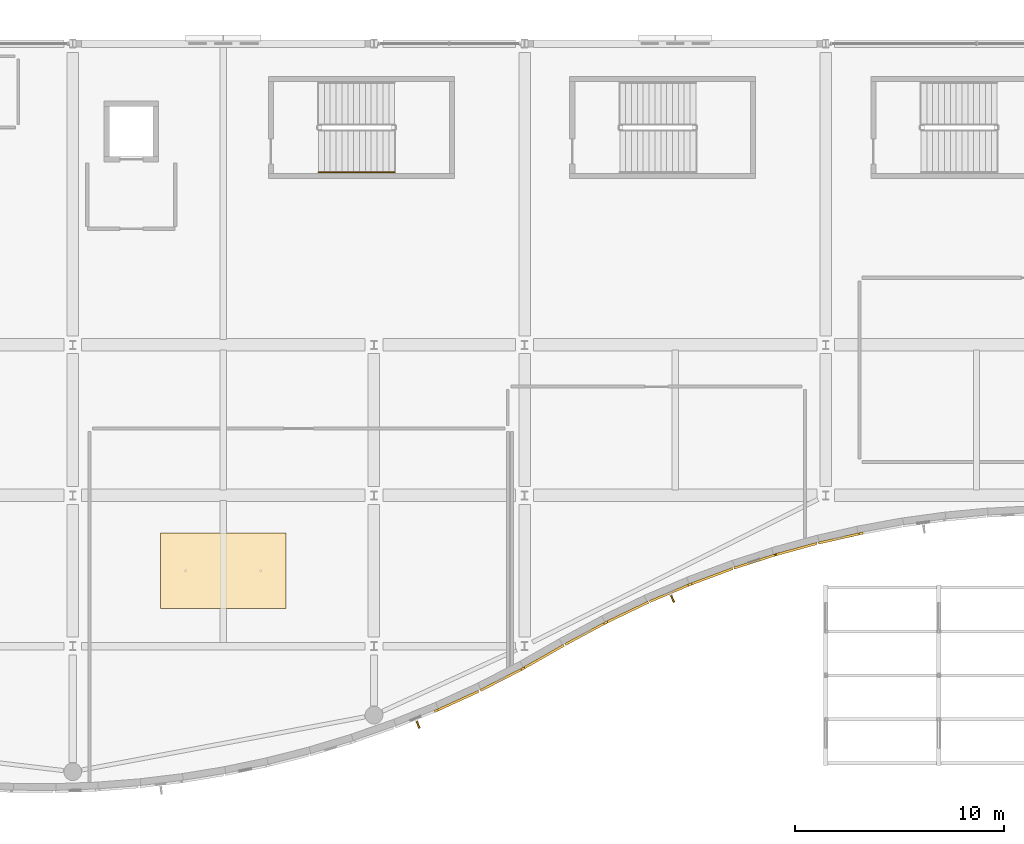
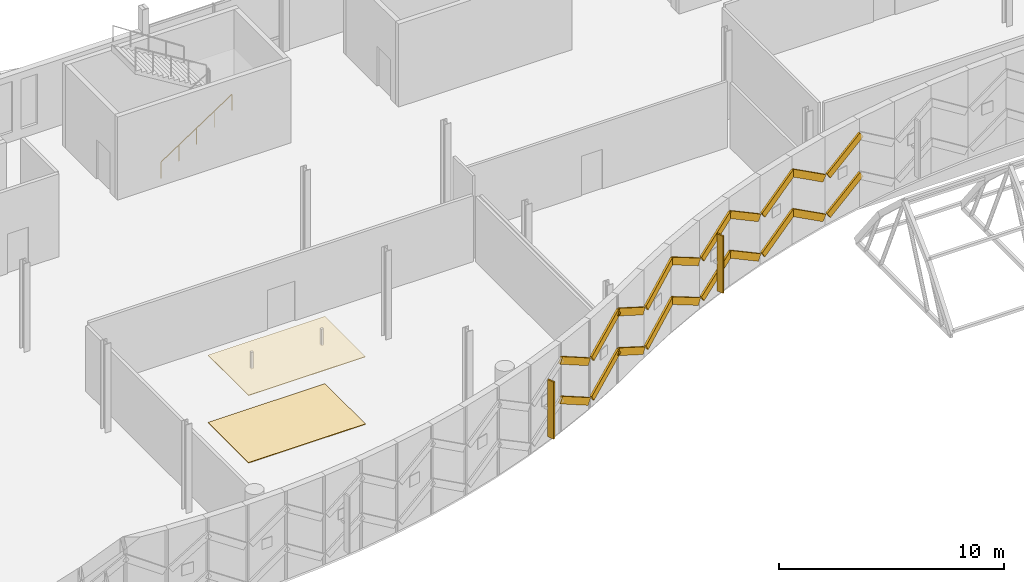
# One storey, part 197 of 220: 22 coverings, 2 shading devices, 1 railing.
"""IFC4 building model written with IfcOpenShell, lengths in metres."""

from ifc_helpers import new_model, si_unit, direction, frame, origin, origin_2d, place, context, subcontext, project, spatial, polyline, rectangle, circle, outline, extrude, material, layer, layer_set, type_object, element, save


model = new_model("IFC4")

# Units and contexts
model_context = context("Model", 3, precision=1e-05, world=origin(), true_north=direction((0.0, 1.0)))
body_context = subcontext(model_context, "Body", "Model", "MODEL_VIEW")
ifc_project = project(units=[si_unit("LENGTHUNIT", "METRE"), si_unit("AREAUNIT", "SQUARE_METRE"), si_unit("VOLUMEUNIT", "CUBIC_METRE"), si_unit("PLANEANGLEUNIT", "RADIAN"), si_unit("MASSUNIT", "GRAM", prefix="KILO")], contexts=[model_context])

# Site, building, storey
site_placement = place(None, origin())
site = spatial("IfcSite", under=ifc_project, at=site_placement, CompositionType="ELEMENT")
building_placement = place(site_placement, origin())
building = spatial("IfcBuilding", under=site, at=building_placement, Name="Cendralis Lancet Convention Centre", CompositionType="ELEMENT")
storey_placement = place(building_placement, frame((0.0, 0.0, 5.39990234375)))
storey = spatial("IfcBuildingStorey", under=building, at=storey_placement, Name="L01", CompositionType="ELEMENT", Elevation=5.39990234375)

# Coverings
ifc_material_1 = material(Name="Warm buff sandstone chevron cassette", Category="masonry")
ifc_layer_1 = layer(ifc_material_1, 0.06005859375, Name="Warm buff sandstone chevron cassette")
ifc_layer_set_1 = layer_set([ifc_layer_1], Name="Warm buff sandstone chevron cassette")
covering_type_1 = type_object("IfcCoveringType", Name="ARC-CV-CLAD1", PredefinedType="CLADDING", material=ifc_layer_set_1)
covering_1_placement = place(storey_placement, frame((75.080322265625, 4.096435546875, 1.9501953125), z_axis=(0.471515128784, 0.215056900201, 0.855233309106), x_axis=(0.77819199137, 0.354741096616, -0.518243165839)))
element("IfcCovering", 1, at=covering_1_placement, inside=storey, type_object=covering_type_1, Name="L01 Diagonal Stone Chevron Relief CL-ST1 #0223", PredefinedType="CLADDING", context=body_context, shape_type="SweptSolid", body=[
    extrude(outline(polyline([(0.0, 0.0), (2.5085691694957983, 1.49890950346121e-17), (2.5085501136428876, 0.11001752245332676), (-1.9055852910551674e-05, 0.11001752245332683), (0.0, 0.0)])), origin(), (0.0, 0.0, -1.0), 0.360107421875),
])
covering_2_placement = place(storey_placement, frame((77.115478515625, 5.026611328125, 0.650146484375), z_axis=(-0.453169211668, -0.232525026212, 0.860563639588), x_axis=(0.765535340132, 0.393097238093, 0.509342914364)))
element("IfcCovering", 2, at=covering_2_placement, inside=storey, type_object=covering_type_1, Name="L01 Diagonal Stone Chevron Relief CL-ST1 #0229", PredefinedType="CLADDING", context=body_context, shape_type="SweptSolid", body=[
    extrude(outline(polyline([(0.0, 0.0), (2.552545295401891, -1.2378878304353247e-16), (2.5524326526210803, 0.10984582912053485), (0.00017022650098245246, 0.10995151521454635), (0.0, 0.0)])), origin(), (0.0, 0.0, -1.0), 0.360107421875),
])
covering_3_placement = place(storey_placement, frame((79.14990234375, 6.073486328125, 1.9501953125), z_axis=(0.434530834935, 0.247510539439, 0.865980072725), x_axis=(0.75221047519, 0.429069874385, -0.500078437758)))
element("IfcCovering", 3, at=covering_3_placement, inside=storey, type_object=covering_type_1, Name="L01 Diagonal Stone Chevron Relief CL-ST1 #0235", PredefinedType="CLADDING", context=body_context, shape_type="SweptSolid", body=[
    extrude(outline(polyline([(0.0, 0.0), (2.5997421492661177, -8.164042358815848e-17), (2.5997478584744025, 0.10989311230682211), (0.00011046259558545463, 0.11010519697066531), (0.0, 0.0)])), origin(), (0.0, 0.0, -1.0), 0.360107421875),
])
covering_4_placement = place(storey_placement, frame((81.169921875, 7.224609375, 0.650146484375), z_axis=(-0.445062800248, -0.239087960789, 0.862992497558), x_axis=(0.759559769537, 0.409665147582, 0.505216214465)))
element("IfcCovering", 4, at=covering_4_placement, inside=storey, type_object=covering_type_1, Name="L01 Diagonal Stone Chevron Relief CL-ST1 #0241", PredefinedType="CLADDING", context=body_context, shape_type="SweptSolid", body=[
    extrude(outline(polyline([(0.0, 0.0), (2.5733022373520664, -1.0061396160665481e-16), (2.573409944268875, 0.10977774205792602), (0.0002077228219798527, 0.10999267060423891), (0.0, 0.0)])), origin(), (0.0, 0.0, -1.0), 0.360107421875),
])
covering_5_placement = place(storey_placement, frame((83.184814453125, 8.309326171875, 1.9501953125), z_axis=(0.463830927058, 0.222501920729, 0.857527705894), x_axis=(0.773135261719, 0.37096581402, -0.514437782356)))
element("IfcCovering", 5, at=covering_5_placement, inside=storey, type_object=covering_type_1, Name="L01 Diagonal Stone Chevron Relief CL-ST1 #0247", PredefinedType="CLADDING", context=body_context, shape_type="SweptSolid", body=[
    extrude(outline(polyline([(0.0, 0.0), (2.527170755961594, 1.4747860051234074e-16), (2.5271343166199913, 0.1099611557698517), (5.412848408579973e-05, 0.11018127223978118), (0.0, 0.0)])), origin(), (0.0, 0.0, -1.0), 0.360107421875),
])
covering_6_placement = place(storey_placement, frame((85.2001953125, 9.274658203125, 0.650146484375), z_axis=(-0.481390240881, -0.204155861193, 0.852398862227), x_axis=(0.784878225092, 0.332490638078, 0.522892099163)))
element("IfcCovering", 6, at=covering_6_placement, inside=storey, type_object=covering_type_1, Name="L01 Diagonal Stone Chevron Relief CL-ST1 #0253", PredefinedType="CLADDING", context=body_context, shape_type="SweptSolid", body=[
    extrude(outline(polyline([(0.0, 0.0), (2.4862659623375394, 2.4069288229178198e-17), (2.486228132060779, 0.11005326888318359), (-3.783027676055456e-05, 0.11005326888318362), (0.0, 0.0)])), origin(), (0.0, 0.0, -1.0), 0.360107421875),
])
covering_7_placement = place(storey_placement, frame((87.21484375, 10.12646484375, 1.9501953125), z_axis=(0.496802331146, 0.18461057039, 0.84800140393), x_axis=(0.794957441953, 0.295210189274, -0.529993971317)))
element("IfcCovering", 7, at=covering_7_placement, inside=storey, type_object=covering_type_1, Name="L01 Diagonal Stone Chevron Relief CL-ST1 #0259", PredefinedType="CLADDING", context=body_context, shape_type="SweptSolid", body=[
    extrude(outline(polyline([(0.0, 0.0), (2.4529141619942028, 6.020032562725763e-17), (2.4529301755870803, 0.11015531584904076), (-5.605920723799132e-05, 0.10992645177011376), (0.0, 0.0)])), origin(), (0.0, 0.0, -1.0), 0.360107421875),
])
covering_8_placement = place(storey_placement, frame((89.229248046875, 10.873046875, 0.650146484375), z_axis=(-0.510369094256, -0.164174673677, 0.844138652208), x_axis=(0.80363363446, 0.258346768482, 0.536124919005)))
element("IfcCovering", 8, at=covering_8_placement, inside=storey, type_object=covering_type_1, Name="L01 Diagonal Stone Chevron Relief CL-ST1 #0265", PredefinedType="CLADDING", context=body_context, shape_type="SweptSolid", body=[
    extrude(outline(polyline([(0.0, 0.0), (2.4248990898176555, 1.1221492485224971e-17), (2.424881834476677, 0.11002185685791445), (-1.7255340978114542e-05, 0.11002185685791444), (0.0, 0.0)])), origin(), (0.0, 0.0, -1.0), 0.360107421875),
])
covering_9_placement = place(storey_placement, frame((91.243408203125, 11.518798828125, 1.9501953125), z_axis=(0.522089233739, 0.142224308501, 0.840948915265), x_axis=(0.811166937648, 0.221818556948, -0.541114338251)))
element("IfcCovering", 9, at=covering_9_placement, inside=storey, type_object=covering_type_1, Name="L01 Diagonal Stone Chevron Relief CL-ST1 #0271", PredefinedType="CLADDING", context=body_context, shape_type="SweptSolid", body=[
    extrude(outline(polyline([(0.0, 0.0), (2.402639019591153, 1.1622647289044608e-16), (2.4026297927093947, 0.11010334298029256), (0.00018881192137900835, 0.11003901249019758), (0.0, 0.0)])), origin(), (0.0, 0.0, -1.0), 0.360107421875),
])
covering_10_placement = place(storey_placement, frame((93.258544921875, 12.068359375, 0.650146484375), z_axis=(-0.532354053644, -0.119915930172, 0.837985281052), x_axis=(0.81724675138, 0.185276760424, 0.545692467792)))
element("IfcCovering", 10, at=covering_10_placement, inside=storey, type_object=covering_type_1, Name="L01 Diagonal Stone Chevron Relief CL-ST1 #0277", PredefinedType="CLADDING", context=body_context, shape_type="SweptSolid", body=[
    extrude(outline(polyline([(0.0, 0.0), (2.3824061562739045, -3.881443777498106e-17), (2.382510909555075, 0.10986919805694208), (0.0001499868652585952, 0.11010731874686307), (0.0, 0.0)])), origin(), (0.0, 0.0, -1.0), 0.360107421875),
])
ifc_material_2 = material(Name="Dark Andean slate chevron cassette", Category="masonry")
ifc_layer_2 = layer(ifc_material_2, 0.06005859375, Name="Dark Andean slate chevron cassette")
ifc_layer_set_2 = layer_set([ifc_layer_2], Name="Dark Andean slate chevron cassette")
covering_type_2 = type_object("IfcCoveringType", Name="ARC-CV-CLAD2", PredefinedType="CLADDING", material=ifc_layer_set_2)
covering_11_placement = place(storey_placement, frame((75.080322265625, 4.096435546875, 4.10009765625), z_axis=(0.471515128784, 0.215056900201, 0.855233309106), x_axis=(0.77819199137, 0.354741096616, -0.518243165839)))
element("IfcCovering", 11, at=covering_11_placement, inside=storey, type_object=covering_type_2, Name="L01 Diagonal Stone Chevron Relief CL-ST2 #0224", PredefinedType="CLADDING", context=body_context, shape_type="SweptSolid", body=[
    extrude(outline(polyline([(0.0, 0.0), (2.5085691694957983, 1.49890950346121e-17), (2.5085501136428876, 0.11001752245332676), (-1.9055852910551674e-05, 0.11001752245332683), (0.0, 0.0)])), origin(), (0.0, 0.0, -1.0), 0.360107421875),
])
covering_12_placement = place(storey_placement, frame((77.115478515625, 5.026611328125, 2.800048828125), z_axis=(-0.453169211668, -0.232525026212, 0.860563639588), x_axis=(0.765535340132, 0.393097238093, 0.509342914364)))
element("IfcCovering", 12, at=covering_12_placement, inside=storey, type_object=covering_type_2, Name="L01 Diagonal Stone Chevron Relief CL-ST2 #0230", PredefinedType="CLADDING", context=body_context, shape_type="SweptSolid", body=[
    extrude(outline(polyline([(0.0, 0.0), (2.552545295401891, -1.2378878304353247e-16), (2.5524326526210803, 0.10984582912053485), (0.00017022650098245246, 0.10995151521454635), (0.0, 0.0)])), origin(), (0.0, 0.0, -1.0), 0.360107421875),
])
covering_13_placement = place(storey_placement, frame((79.14990234375, 6.073486328125, 4.10009765625), z_axis=(0.434530834935, 0.247510539439, 0.865980072725), x_axis=(0.75221047519, 0.429069874385, -0.500078437758)))
element("IfcCovering", 13, at=covering_13_placement, inside=storey, type_object=covering_type_2, Name="L01 Diagonal Stone Chevron Relief CL-ST2 #0236", PredefinedType="CLADDING", context=body_context, shape_type="SweptSolid", body=[
    extrude(outline(polyline([(0.0, 0.0), (2.5997421492661177, -8.164042358815848e-17), (2.5997478584744025, 0.10989311230682211), (0.00011046259558545463, 0.11010519697066531), (0.0, 0.0)])), origin(), (0.0, 0.0, -1.0), 0.360107421875),
])
covering_14_placement = place(storey_placement, frame((81.169921875, 7.224609375, 2.800048828125), z_axis=(-0.445062800248, -0.239087960789, 0.862992497558), x_axis=(0.759559769537, 0.409665147582, 0.505216214465)))
element("IfcCovering", 14, at=covering_14_placement, inside=storey, type_object=covering_type_2, Name="L01 Diagonal Stone Chevron Relief CL-ST2 #0242", PredefinedType="CLADDING", context=body_context, shape_type="SweptSolid", body=[
    extrude(outline(polyline([(0.0, 0.0), (2.5733022373520664, -1.0061396160665481e-16), (2.573409944268875, 0.10977774205792602), (0.0002077228219798527, 0.10999267060423891), (0.0, 0.0)])), origin(), (0.0, 0.0, -1.0), 0.360107421875),
])
covering_15_placement = place(storey_placement, frame((83.184814453125, 8.309326171875, 4.10009765625), z_axis=(0.463830927058, 0.222501920729, 0.857527705894), x_axis=(0.773135261719, 0.37096581402, -0.514437782356)))
element("IfcCovering", 15, at=covering_15_placement, inside=storey, type_object=covering_type_2, Name="L01 Diagonal Stone Chevron Relief CL-ST2 #0248", PredefinedType="CLADDING", context=body_context, shape_type="SweptSolid", body=[
    extrude(outline(polyline([(0.0, 0.0), (2.527170755961594, 1.4747860051234074e-16), (2.5271343166199913, 0.1099611557698517), (5.412848408579973e-05, 0.11018127223978118), (0.0, 0.0)])), origin(), (0.0, 0.0, -1.0), 0.360107421875),
])
covering_16_placement = place(storey_placement, frame((85.2001953125, 9.274658203125, 2.800048828125), z_axis=(-0.481390240881, -0.204155861193, 0.852398862227), x_axis=(0.784878225092, 0.332490638078, 0.522892099163)))
element("IfcCovering", 16, at=covering_16_placement, inside=storey, type_object=covering_type_2, Name="L01 Diagonal Stone Chevron Relief CL-ST2 #0254", PredefinedType="CLADDING", context=body_context, shape_type="SweptSolid", body=[
    extrude(outline(polyline([(0.0, 0.0), (2.4862659623375394, 2.4069288229178198e-17), (2.486228132060779, 0.11005326888318359), (-3.783027676055456e-05, 0.11005326888318362), (0.0, 0.0)])), origin(), (0.0, 0.0, -1.0), 0.360107421875),
])
covering_17_placement = place(storey_placement, frame((87.21484375, 10.12646484375, 4.10009765625), z_axis=(0.496802331146, 0.18461057039, 0.84800140393), x_axis=(0.794957441953, 0.295210189274, -0.529993971317)))
element("IfcCovering", 17, at=covering_17_placement, inside=storey, type_object=covering_type_2, Name="L01 Diagonal Stone Chevron Relief CL-ST2 #0260", PredefinedType="CLADDING", context=body_context, shape_type="SweptSolid", body=[
    extrude(outline(polyline([(0.0, 0.0), (2.4529141619942028, 6.020032562725763e-17), (2.4529301755870803, 0.11015531584904076), (-5.605920723799132e-05, 0.10992645177011376), (0.0, 0.0)])), origin(), (0.0, 0.0, -1.0), 0.360107421875),
])
covering_18_placement = place(storey_placement, frame((89.229248046875, 10.873046875, 2.800048828125), z_axis=(-0.510369094256, -0.164174673677, 0.844138652208), x_axis=(0.80363363446, 0.258346768482, 0.536124919005)))
element("IfcCovering", 18, at=covering_18_placement, inside=storey, type_object=covering_type_2, Name="L01 Diagonal Stone Chevron Relief CL-ST2 #0266", PredefinedType="CLADDING", context=body_context, shape_type="SweptSolid", body=[
    extrude(outline(polyline([(0.0, 0.0), (2.4248990898176555, 1.1221492485224971e-17), (2.424881834476677, 0.11002185685791445), (-1.7255340978114542e-05, 0.11002185685791444), (0.0, 0.0)])), origin(), (0.0, 0.0, -1.0), 0.360107421875),
])
covering_19_placement = place(storey_placement, frame((91.243408203125, 11.518798828125, 4.10009765625), z_axis=(0.522089233739, 0.142224308501, 0.840948915265), x_axis=(0.811166937648, 0.221818556948, -0.541114338251)))
element("IfcCovering", 19, at=covering_19_placement, inside=storey, type_object=covering_type_2, Name="L01 Diagonal Stone Chevron Relief CL-ST2 #0272", PredefinedType="CLADDING", context=body_context, shape_type="SweptSolid", body=[
    extrude(outline(polyline([(0.0, 0.0), (2.402639019591153, 1.1622647289044608e-16), (2.4026297927093947, 0.11010334298029256), (0.00018881192137900835, 0.11003901249019758), (0.0, 0.0)])), origin(), (0.0, 0.0, -1.0), 0.360107421875),
])
covering_20_placement = place(storey_placement, frame((93.258544921875, 12.068359375, 2.800048828125), z_axis=(-0.532354053644, -0.119915930172, 0.837985281052), x_axis=(0.81724675138, 0.185276760424, 0.545692467792)))
element("IfcCovering", 20, at=covering_20_placement, inside=storey, type_object=covering_type_2, Name="L01 Diagonal Stone Chevron Relief CL-ST2 #0278", PredefinedType="CLADDING", context=body_context, shape_type="SweptSolid", body=[
    extrude(outline(polyline([(0.0, 0.0), (2.3824061562739045, -3.881443777498106e-17), (2.382510909555075, 0.10986919805694208), (0.0001499868652585952, 0.11010731874686307), (0.0, 0.0)])), origin(), (0.0, 0.0, -1.0), 0.360107421875),
])
ifc_material_3 = material(Name="Perforated acoustic mineral-wood ceiling", Category="wood")
ifc_layer_3 = layer(ifc_material_3, 0.030029296875, Name="Perforated acoustic mineral-wood ceiling")
ifc_layer_set_3 = layer_set([ifc_layer_3], Name="Perforated acoustic mineral-wood ceiling")
covering_type_3 = type_object("IfcCoveringType", Name="ARC-CV-CLG1", PredefinedType="CEILING", material=ifc_layer_set_3)
covering_21_placement = place(storey_placement, frame((0.0, 0.0, 3.650146484375)))
element("IfcCovering", 21, at=covering_21_placement, inside=storey, type_object=covering_type_3, Name="L01 Acoustic Suspended Ceiling CL-ACS #06", PredefinedType="CEILING", context=body_context, shape_type="SweptSolid", body=[
    extrude(outline(polyline([(61.800048828125, 9.0), (67.800048828125, 9.0), (67.800048828125, 12.60009765625), (61.800048828125, 12.60009765625), (61.800048828125, 9.0)])), origin(), (0.0, 0.0, 1.0), 0.030029296875),
])
ifc_material_4 = material(Name="Polished Andean granite terrazzo flooring", Category="masonry")
ifc_layer_4 = layer(ifc_material_4, 0.030029296875, Name="Polished Andean granite terrazzo flooring")
ifc_layer_set_4 = layer_set([ifc_layer_4], Name="Polished Andean granite terrazzo flooring")
covering_type_4 = type_object("IfcCoveringType", Name="ARC-CV-FLR1", PredefinedType="FLOORING", material=ifc_layer_set_4)
covering_22_placement = place(storey_placement, origin())
element("IfcCovering", 22, at=covering_22_placement, inside=storey, type_object=covering_type_4, Name="L01 Terrazzo Concourse Flooring FL-TRZ #06", PredefinedType="FLOORING", context=body_context, shape_type="SweptSolid", body=[
    extrude(outline(polyline([(61.800048828125, 9.0), (67.800048828125, 9.0), (67.800048828125, 12.60009765625), (61.800048828125, 12.60009765625), (61.800048828125, 9.0)])), origin(), (0.0, 0.0, 1.0), 0.030029296875),
])

# Railing
ifc_material_5 = material(Name="Steel S355", Category="steel")
railing_type = type_object("IfcRailingType", Name="ARC-RL-CHR", PredefinedType="HANDRAIL", material=ifc_material_5)
railing_placement = place(storey_placement, frame((69.35009765625, 29.85009765625, 0.171630859375)))
element("IfcRailing", 23, at=railing_placement, inside=storey, type_object=railing_type, Name="L01 ST-12 stair handrail 1", PredefinedType="HANDRAIL", context=body_context, shape_type="SweptSolid", body=[
    extrude(circle(Radius=0.02392578125, at=origin_2d()), frame((0.0, 0.0, 0.8759765625), z_axis=(0.834865213223, 0.0, 0.550454426587), x_axis=(0.0, 1.0, 0.0)), (0.0, 0.0, 1.0), 4.35986328125),
    extrude(circle(Radius=0.02099609375, at=origin_2d()), origin(), (0.0, 0.0, 1.0), 0.851806640625),
    extrude(circle(Radius=0.02099609375, at=origin_2d()), frame((0.909912109375, 0.0, 0.60009765625)), (0.0, 0.0, 1.0), 0.851806640625),
    extrude(circle(Radius=0.02099609375, at=origin_2d()), frame((1.81982421875, 0.0, 1.199951171875)), (0.0, 0.0, 1.0), 0.851806640625),
    extrude(circle(Radius=0.02099609375, at=origin_2d()), frame((2.72998046875, 0.0, 1.7998046875)), (0.0, 0.0, 1.0), 0.851806640625),
    extrude(circle(Radius=0.02099609375, at=origin_2d()), frame((3.639892578125, 0.0, 2.39990234375)), (0.0, 0.0, 1.0), 0.851806640625),
])

# Shading devices
ifc_material_6 = material(Name="Anodised bronze architectural aluminium", Category="aluminium")
shading_device_type = type_object("IfcShadingDeviceType", Name="ARC-SH-FIN1", PredefinedType="USERDEFINED", material=ifc_material_6)
for number, where, z_axis, x_axis, name in (
    (24, (74.11474609375, 3.431884765625, 0.449951171875), (0.0, 0.0, 1.0), (0.928063926041, 0.372420930105, 0.0), "Anodised Bronze Lancet Solar Fin SF-01 #013"),
    (25, (86.275390625, 9.453125, 0.449951171875), (0.0, 0.0, 1.0), (0.920756984653, 0.390136610961, 0.0), "Anodised Bronze Lancet Solar Fin SF-01 #015"),
):
    element("IfcShadingDevice", number, at=place(storey_placement, frame(where, z_axis=z_axis, x_axis=x_axis)), inside=storey, type_object=shading_device_type, Name=name, ObjectType="FIN", PredefinedType="USERDEFINED", context=body_context, shape_type="SweptSolid", body=[
        extrude(rectangle(XDim=0.080078125, YDim=0.340087890625, at=origin_2d()), origin(), (0.0, 0.0, 1.0), 3.10009765625),
    ])

save(model, "model.ifc")
